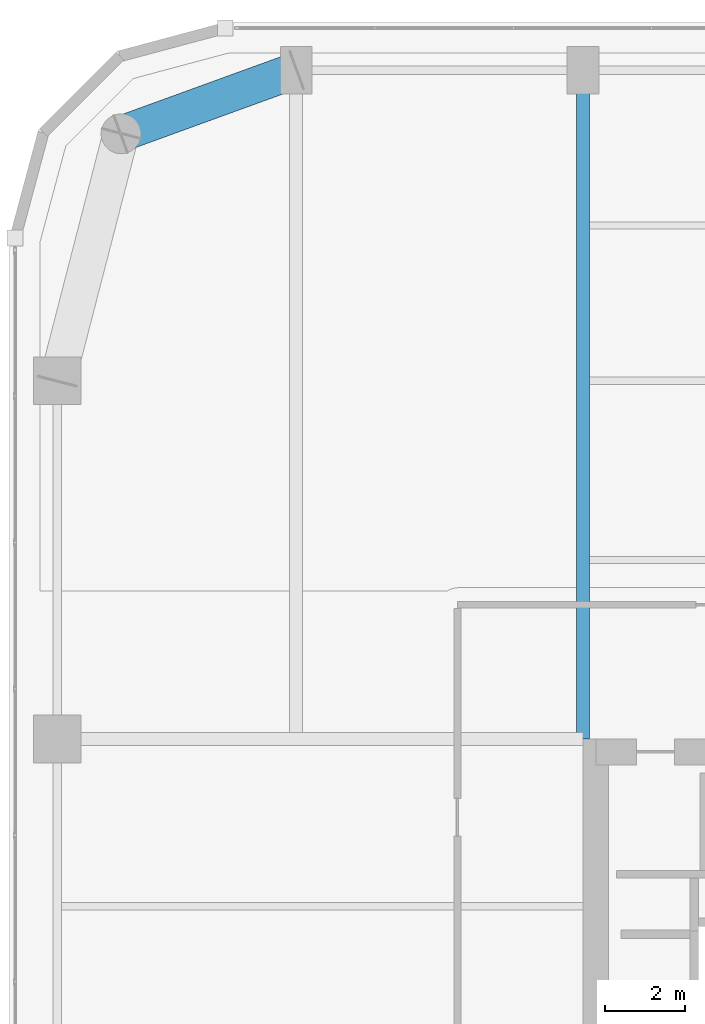
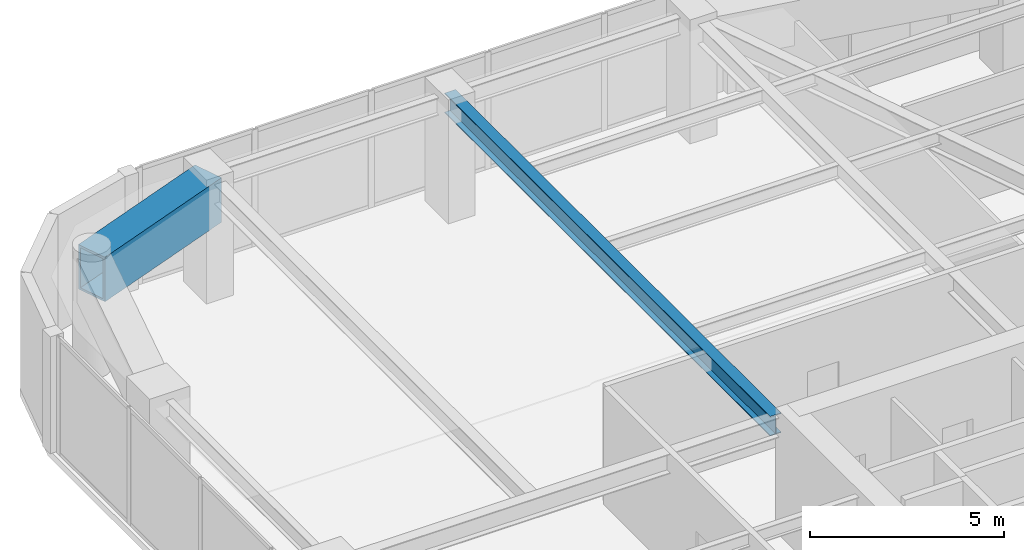
# One storey, part 16 of 30: 2 beams.
"""IFC4 building model written with IfcOpenShell, lengths in metres."""

import ifcopenshell
import ifcopenshell.guid

model = None  # the IFC model being written
_history = None  # IfcOwnerHistory: only IFC2X3 demands one
_inside = {}  # id of a spatial element -> (the spatial element, [elements in it])
_under = {}  # id of a project, library or spatial element -> (it, [spatial elements below it])
_declared = {}  # id of a project -> (the project, [libraries it declares])
_typed = {}  # id of a type object -> (the type object, [elements of that type])
_made_of = {}  # id of a material, layer set ... -> (it, [elements and type objects made of it])


def new_model(schema):
    """Start an empty IFC model of exactly this schema.

    Asked for "IFC4X3", IfcOpenShell would pick the latest addendum, in which some entities
    have other attributes; the version numbers below select the first issue.
    IFC2X3 requires an IfcOwnerHistory on every rooted entity: one is made here for all.
    """
    global model, _history
    if schema == "IFC4X3":
        model = ifcopenshell.file(schema_version=(4, 3, 0, 0))
    else:
        model = ifcopenshell.file(schema=schema)
    _inside.clear()
    _under.clear()
    _declared.clear()
    _typed.clear()
    _made_of.clear()
    _history = None
    if model.schema == "IFC2X3":
        org = make("IfcOrganization", Name="unknown")
        user = make(
            "IfcPersonAndOrganization",
            ThePerson=make("IfcPerson", FamilyName="unknown"),
            TheOrganization=org,
        )
        app = make(
            "IfcApplication",
            ApplicationDeveloper=org,
            Version="unknown",
            ApplicationFullName="unknown",
            ApplicationIdentifier="unknown",
        )
        _history = make(
            "IfcOwnerHistory",
            OwningUser=user,
            OwningApplication=app,
            ChangeAction="ADDED",
            CreationDate=0,
        )
    return model


def make(cls, **values):
    """One entity of the class cls with the attributes given. An attribute that is None is left unset."""
    return model.create_entity(
        cls, **{name: value for name, value in values.items() if value is not None}
    )


def rooted(cls, **values):
    """An entity with a GlobalId (a new one), such as an element, a storey or a relation."""
    return make(cls, GlobalId=ifcopenshell.guid.new(), OwnerHistory=_history, **values)


def si_unit(unit_type, name, prefix=None):
    """IfcSIUnit, for example si_unit("LENGTHUNIT", "METRE", prefix="MILLI")."""
    return make("IfcSIUnit", UnitType=unit_type, Prefix=prefix, Name=name)


def assignment(units):
    """IfcUnitAssignment: the units of a project."""
    return None if units is None else make("IfcUnitAssignment", Units=units)


def point(xyz):
    """IfcCartesianPoint."""
    return None if xyz is None else make("IfcCartesianPoint", Coordinates=xyz)


def direction(xyz):
    """IfcDirection."""
    return None if xyz is None else make("IfcDirection", DirectionRatios=xyz)


def frame(location, z_axis=None, x_axis=None):
    """IfcAxis2Placement3D, a coordinate frame: its origin and axes. An axis left out is left unset."""
    return make(
        "IfcAxis2Placement3D",
        Location=point(location),
        Axis=direction(z_axis),
        RefDirection=direction(x_axis),
    )


def frame_2d(location, x_axis=None):
    """IfcAxis2Placement2D, a coordinate frame in the plane: its origin and x axis."""
    return make(
        "IfcAxis2Placement2D", Location=point(location), RefDirection=direction(x_axis)
    )


def origin():
    """The frame at (0, 0, 0) with its axes left unset."""
    return frame((0.0, 0.0, 0.0))


def origin_2d():
    """The frame at (0, 0) in the plane with its x axis left unset."""
    return frame_2d((0.0, 0.0))


def place(relative_to, where):
    """IfcLocalPlacement: puts the frame where relative to a parent placement (None: the world)."""
    return make(
        "IfcLocalPlacement", PlacementRelTo=relative_to, RelativePlacement=where
    )


def context(
    kind, dimensions, precision=None, world=None, true_north=None, identifier=None
):
    """IfcGeometricRepresentationContext, for example the 3D "Model" context."""
    return make(
        "IfcGeometricRepresentationContext",
        ContextIdentifier=identifier,
        ContextType=kind,
        CoordinateSpaceDimension=dimensions,
        Precision=precision,
        WorldCoordinateSystem=world,
        TrueNorth=true_north,
    )


def subcontext(parent, identifier, kind, view, scale=None):
    """IfcGeometricRepresentationSubContext, for example "Body" below "Model"."""
    return make(
        "IfcGeometricRepresentationSubContext",
        ContextIdentifier=identifier,
        ContextType=kind,
        ParentContext=parent,
        TargetScale=scale,
        TargetView=view,
    )


def project(units=None, contexts=None):
    """IfcProject with its units and contexts."""
    return rooted(
        "IfcProject",
        Name="project",
        RepresentationContexts=contexts,
        UnitsInContext=assignment(units),
    )


def spatial(cls, under=None, at=None, **own):
    """A site, building, storey or space (cls), placed at a placement, below another one or the project."""
    s = rooted(cls, ObjectPlacement=at, **own)
    if under is not None:
        _under.setdefault(under.id(), (under, []))[1].append(s)
    return s


def profile(cls, at=None, kind="AREA", **sizes):
    """A parametric profile (cls). Its sizes go by their IFC names, for example OverallWidth=200.0."""
    return make(cls, ProfileType=kind, Position=at, **sizes)


def hollow_rectangle(**sizes):
    """IfcRectangleHollowProfileDef."""
    return profile("IfcRectangleHollowProfileDef", **sizes)


def i_section(**sizes):
    """IfcIShapeProfileDef."""
    return profile("IfcIShapeProfileDef", **sizes)


def extrude(swept, where, along, depth):
    """IfcExtrudedAreaSolid: the profile swept, set in the frame where, extruded along a direction by depth."""
    return make(
        "IfcExtrudedAreaSolid",
        SweptArea=swept,
        Position=where,
        ExtrudedDirection=direction(along),
        Depth=depth,
    )


def shape(context_of_items, identifier, shape_type, items):
    """IfcShapeRepresentation: the items that make up one representation, for example the "Body"."""
    return make(
        "IfcShapeRepresentation",
        ContextOfItems=context_of_items,
        RepresentationIdentifier=identifier,
        RepresentationType=shape_type,
        Items=items,
    )


def material(Name=None, Category=None):
    """IfcMaterial."""
    return make("IfcMaterial", Name=Name, Category=Category)


def material_profile(
    of_material, cross_section, Name=None, Category=None, Priority=None
):
    """IfcMaterialProfile: a cross section and its material."""
    return make(
        "IfcMaterialProfile",
        Name=Name,
        Material=of_material,
        Profile=cross_section,
        Priority=Priority,
        Category=Category,
    )


def profile_set(profiles, Name=None, composite=None):
    """IfcMaterialProfileSet."""
    return make(
        "IfcMaterialProfileSet",
        Name=Name,
        MaterialProfiles=profiles,
        CompositeProfile=composite,
    )


def made_of(thing, what):
    """Note that an element or type object is made of a material, layer set ...; save() writes the relation."""
    if what is not None:
        _made_of.setdefault(what.id(), (what, []))[1].append(thing)
    return thing


def type_object(cls, material=None, **own):
    """A type object (cls), such as IfcWallType, which elements share."""
    return made_of(rooted(cls, **own), material)


def element(
    cls,
    number,
    at=None,
    inside=None,
    cuts=None,
    type_object=None,
    material=None,
    context=None,
    identifier="Body",
    shape_type=None,
    held_by="IfcProductDefinitionShape",
    body=None,
    shapes=None,
    **own,
):
    """One element of the class cls, such as IfcWall. Its Tag is "e" and its number.

    at: its placement. inside: the storey or other place that contains it. cuts: it is an
    opening in that element (IfcRelVoidsElement). A single representation is given by context,
    identifier, shape_type and body (its items); several are given by shapes. held_by: the class
    of the entity that holds the representations. save() writes the other relations.
    """
    e = rooted(cls, Tag="e%d" % number, ObjectPlacement=at, **own)
    if body is not None:
        shapes = [shape(context, identifier, shape_type, body)]
    if shapes is not None:
        e.Representation = make(held_by, Representations=shapes)
    if inside is not None:
        _inside.setdefault(inside.id(), (inside, []))[1].append(e)
    if cuts is not None:
        rooted(
            "IfcRelVoidsElement", RelatingBuildingElement=cuts, RelatedOpeningElement=e
        )
    if type_object is not None:
        _typed.setdefault(type_object.id(), (type_object, []))[1].append(e)
    return made_of(e, material)


def aggregate(whole, parts):
    """IfcRelAggregates: a whole, such as a stair, and the parts it consists of."""
    return rooted("IfcRelAggregates", RelatingObject=whole, RelatedObjects=parts)


def save(model, path):
    """Write the relations noted so far, then the file.

    IfcRelAggregates (storeys below a building ...), IfcRelContainedInSpatialStructure (elements
    in a storey), IfcRelDefinesByType, IfcRelAssociatesMaterial and IfcRelDeclares: one each for
    every whole, place, type object, material and project.
    """
    for whole, parts in _under.values():
        aggregate(whole, parts)
    for where, things in _inside.values():
        rooted(
            "IfcRelContainedInSpatialStructure",
            RelatedElements=things,
            RelatingStructure=where,
        )
    for kind, things in _typed.values():
        rooted("IfcRelDefinesByType", RelatedObjects=things, RelatingType=kind)
    for what, things in _made_of.values():
        rooted("IfcRelAssociatesMaterial", RelatedObjects=things, RelatingMaterial=what)
    for by, libraries in _declared.values():
        rooted("IfcRelDeclares", RelatingContext=by, RelatedDefinitions=libraries)
    model.write(path)


model = new_model("IFC4")

# Units and contexts
model_context = context("Model", 3, precision=1e-05, world=origin(), true_north=direction((0.0, 1.0)))
body_context = subcontext(model_context, "Body", "Model", "MODEL_VIEW")
ifc_project = project(units=[si_unit("LENGTHUNIT", "METRE"), si_unit("AREAUNIT", "SQUARE_METRE"), si_unit("VOLUMEUNIT", "CUBIC_METRE"), si_unit("PLANEANGLEUNIT", "RADIAN"), si_unit("MASSUNIT", "GRAM", prefix="KILO")], contexts=[model_context])

# Site, building, storey
site_placement = place(None, origin())
site = spatial("IfcSite", under=ifc_project, at=site_placement, CompositionType="ELEMENT")
building_placement = place(site_placement, origin())
building = spatial("IfcBuilding", under=site, at=building_placement, Name="Kiyonajd Concourse Tower", CompositionType="ELEMENT")
storey_placement = place(building_placement, frame((0.0, 0.0, 198.0)))
storey = spatial("IfcBuildingStorey", under=building, at=storey_placement, Name="L50", CompositionType="ELEMENT", Elevation=198.0)

# Beams
ifc_material_1 = material(Name="Steel ASTM A992 Grade 50", Category="steel")
ifc_material_profile_1 = material_profile(ifc_material_1, i_section(OverallWidth=0.326904296875, OverallDepth=0.6220703125, WebThickness=0.015380859375, FlangeThickness=0.0244140625, at=origin_2d()), Name="W610X195")
ifc_profile_set_1 = profile_set([ifc_material_profile_1], Name="Steel ASTM A992 Grade 50")
beam_type_1 = type_object("IfcBeamType", Name="BM-TWR-610A", PredefinedType="BEAM", material=ifc_profile_set_1)
beam_1_placement = place(storey_placement, frame((32.39990234375, 44.39990234375, 3.368896484375), z_axis=(0.0, 1.0, 0.0), x_axis=(-1.0, 0.0, 0.0)))
element("IfcBeam", 1, at=beam_1_placement, inside=storey, type_object=beam_type_1, Name="L50 North Lease Girder", PredefinedType="BEAM", context=body_context, shape_type="SweptSolid", body=[
    extrude(i_section(OverallWidth=0.326904296875, OverallDepth=0.6220703125, WebThickness=0.015380859375, FlangeThickness=0.0244140625, at=origin_2d()), origin(), (0.0, 0.0, 1.0), 16.800048828125),
])
ifc_material_2 = material(Name="Steel ASTM A572 Grade 50", Category="steel")
ifc_material_profile_2 = material_profile(ifc_material_2, hollow_rectangle(XDim=0.89990234375, YDim=1.39990234375, WallThickness=0.070068359375, at=origin_2d()), Name="BOX-1400x900x70")
ifc_profile_set_2 = profile_set([ifc_material_profile_2], Name="Steel ASTM A572 Grade 50")
beam_type_2 = type_object("IfcBeamType", Name="BM-XFER-1400", PredefinedType="BEAM", material=ifc_profile_set_2)
beam_2_placement = place(storey_placement, frame((25.199951171875, 61.199951171875, 2.97998046875), z_axis=(-0.939801036019, -0.341722127901, 0.0), x_axis=(0.341722127901, -0.939801036019, 0.0)))
element("IfcBeam", 2, at=beam_2_placement, inside=storey, type_object=beam_type_2, Name="L50 Perimeter Bundled Tube Spandrel", PredefinedType="BEAM", context=body_context, shape_type="SweptSolid", body=[
    extrude(hollow_rectangle(XDim=0.89990234375, YDim=1.39990234375, WallThickness=0.070068359375, at=origin_2d()), origin(), (0.0, 0.0, 1.0), 4.681640625),
])

save(model, "model.ifc")
